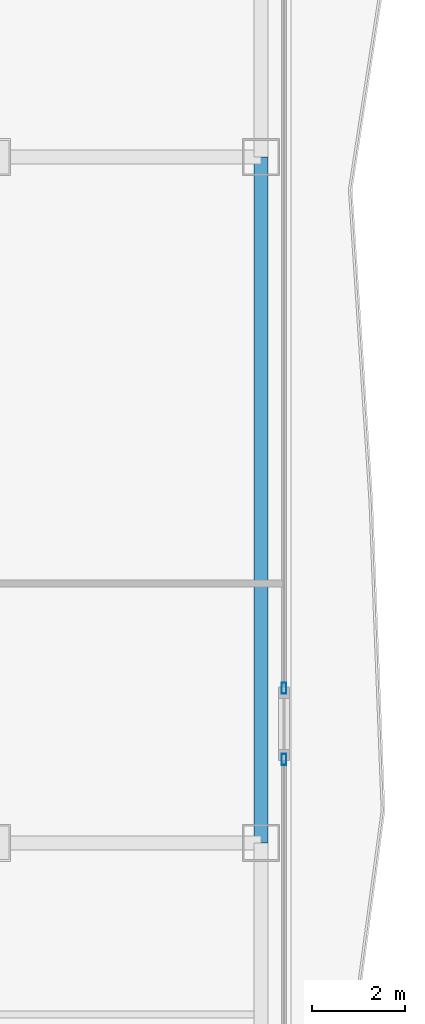
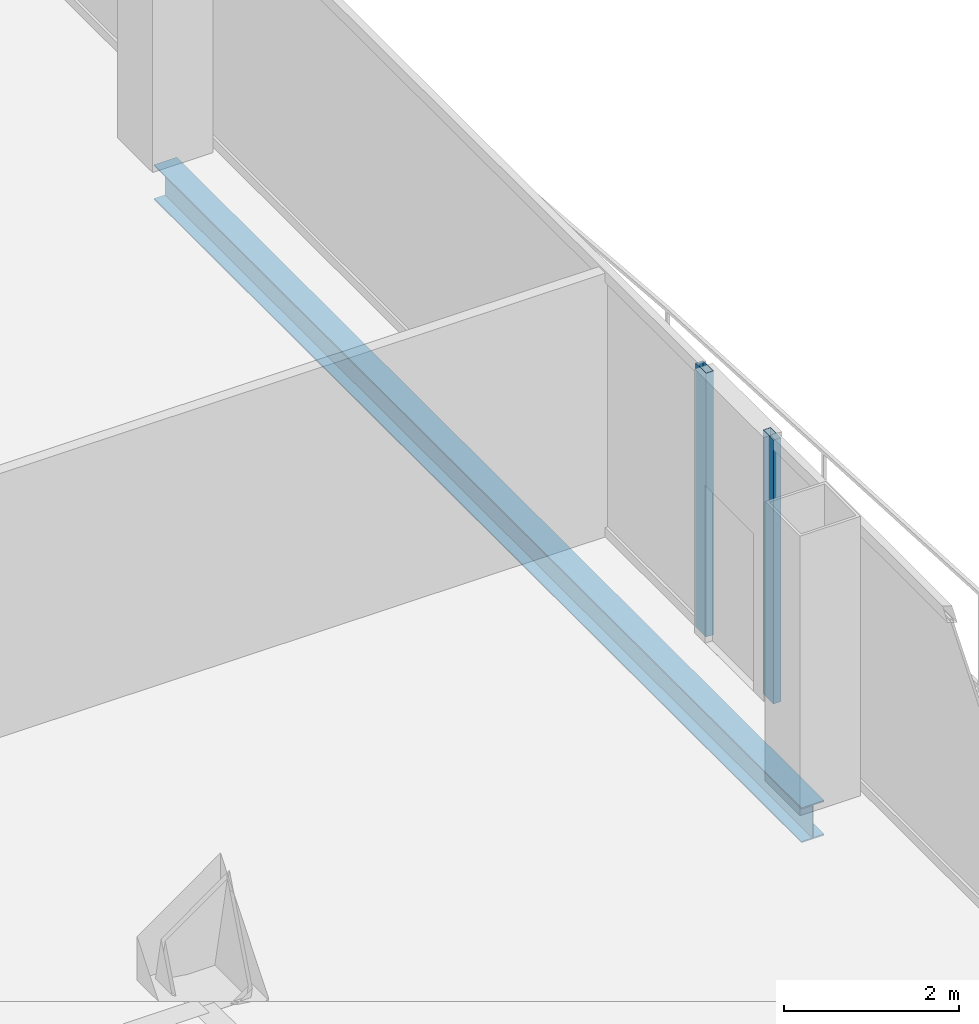
# One storey, part 14 of 33: 2 members, 1 beam, 2 elements without a shape of their own.
"""IFC4 building model written with IfcOpenShell, lengths in metres."""

from ifc_helpers import new_model, si_unit, direction, frame, origin, origin_2d, place, context, subcontext, project, spatial, hollow_rectangle, i_section, extrude, material, layer, layer_set, material_profile, profile_set, type_object, element, aggregate, save


model = new_model("IFC4")

# Units and contexts
model_context = context("Model", 3, precision=1e-05, world=origin(), true_north=direction((0.0, 1.0)))
body_context = subcontext(model_context, "Body", "Model", "MODEL_VIEW")
ifc_project = project(units=[si_unit("LENGTHUNIT", "METRE"), si_unit("AREAUNIT", "SQUARE_METRE"), si_unit("VOLUMEUNIT", "CUBIC_METRE"), si_unit("PLANEANGLEUNIT", "RADIAN"), si_unit("MASSUNIT", "GRAM", prefix="KILO")], contexts=[model_context])

# Site, building, storey
site_placement = place(None, origin())
site = spatial("IfcSite", under=ifc_project, at=site_placement, CompositionType="ELEMENT")
building_placement = place(site_placement, origin())
building = spatial("IfcBuilding", under=site, at=building_placement, Name="Khorvyn Point Tower", CompositionType="ELEMENT")
storey_placement = place(building_placement, frame((0.0, 0.0, 38.39990234375)))
storey = spatial("IfcBuildingStorey", under=building, at=storey_placement, Name="L10", CompositionType="ELEMENT", Elevation=38.39990234375)

# Curtain wall, member
ifc_material_1 = material(Name="Anodised aluminium 6063-T6 and laminated Low-E glass", Category="aluminium")
ifc_layer = layer(ifc_material_1, 0.18994140625)
ifc_layer_set = layer_set([ifc_layer], Name="Stick-Built Finned Residential Curtain Wall CW-SYS-02")
curtain_wall_type = type_object("IfcCurtainWallType", Name="Stick-Built Finned Residential Curtain Wall CW-SYS-02", PredefinedType="NOTDEFINED", material=ifc_layer_set)
curtain_wall_1_placement = place(storey_placement, origin())
curtain_wall_1 = element("IfcCurtainWall", 1, at=curtain_wall_1_placement, inside=storey, type_object=curtain_wall_type, Name="Curtain Wall", PredefinedType="NOTDEFINED")
ifc_material_2 = material(Name="Anodised aluminium 6063-T6", Category="aluminium")
ifc_material_profile_1 = material_profile(ifc_material_2, hollow_rectangle(XDim=0.10009765625, YDim=0.239990234375, WallThickness=0.0048828125, at=origin_2d()))
ifc_profile_set_1 = profile_set([ifc_material_profile_1], Name="Anodised aluminium 6063-T6 ALU-MUL-100x240")
member_type = type_object("IfcMemberType", Name="Anodised Aluminium 6063-T6 Mullion ALU-MUL-100x240", PredefinedType="MULLION", material=ifc_profile_set_1)
member_1_placement = place(storey_placement, frame((27.949951171875, -4.06005859375, 0.0), z_axis=(0.0, 0.0, 1.0), x_axis=(1.0, 0.0, 0.0)))
member_1 = element("IfcMember", 2, at=member_1_placement, type_object=member_type, Name="Transom", PredefinedType="MULLION", context=body_context, shape_type="SweptSolid", body=[
    extrude(hollow_rectangle(XDim=0.10009765625, YDim=0.239990234375, WallThickness=0.0048828125, at=origin_2d()), origin(), (0.0, 0.0, 1.0), 3.68017578125),
])
aggregate(curtain_wall_1, [member_1])

curtain_wall_2_placement = place(storey_placement, origin())
curtain_wall_2 = element("IfcCurtainWall", 3, at=curtain_wall_2_placement, inside=storey, type_object=curtain_wall_type, Name="Curtain Wall", PredefinedType="NOTDEFINED")
member_2_placement = place(storey_placement, frame((27.949951171875, -5.60009765625, 0.0), z_axis=(0.0, 0.0, 1.0), x_axis=(1.0, 0.0, 0.0)))
member_2 = element("IfcMember", 4, at=member_2_placement, type_object=member_type, Name="Transom", PredefinedType="MULLION", context=body_context, shape_type="SweptSolid", body=[
    extrude(hollow_rectangle(XDim=0.10009765625, YDim=0.239990234375, WallThickness=0.0048828125, at=origin_2d()), origin(), (0.0, 0.0, 1.0), 3.68017578125),
])
aggregate(curtain_wall_2, [member_2])

# Beam
ifc_material_3 = material(Name="Steel S355", Category="steel")
ifc_material_profile_2 = material_profile(ifc_material_3, i_section(OverallWidth=0.300048828125, OverallDepth=0.488037109375, WebThickness=0.010986328125, FlangeThickness=0.01806640625, at=origin_2d()))
ifc_profile_set_2 = profile_set([ifc_material_profile_2], Name="Steel S355 H488x300x11x18")
beam_type = type_object("IfcBeamType", Name="Steel S355 Spandrel H488x300x11x18", PredefinedType="SPANDREL", material=ifc_profile_set_2)
beam_placement = place(storey_placement, frame((27.449951171875, -7.39990234375, -0.4638671875), z_axis=(0.0, 1.0, 0.0), x_axis=(-1.0, 0.0, 0.0)))
element("IfcBeam", 5, at=beam_placement, inside=storey, type_object=beam_type, Name="Beam", PredefinedType="SPANDREL", context=body_context, shape_type="SweptSolid", body=[
    extrude(i_section(OverallWidth=0.300048828125, OverallDepth=0.488037109375, WebThickness=0.010986328125, FlangeThickness=0.01806640625, at=origin_2d()), origin(), (0.0, 0.0, 1.0), 14.7998046875),
])

save(model, "model.ifc")
